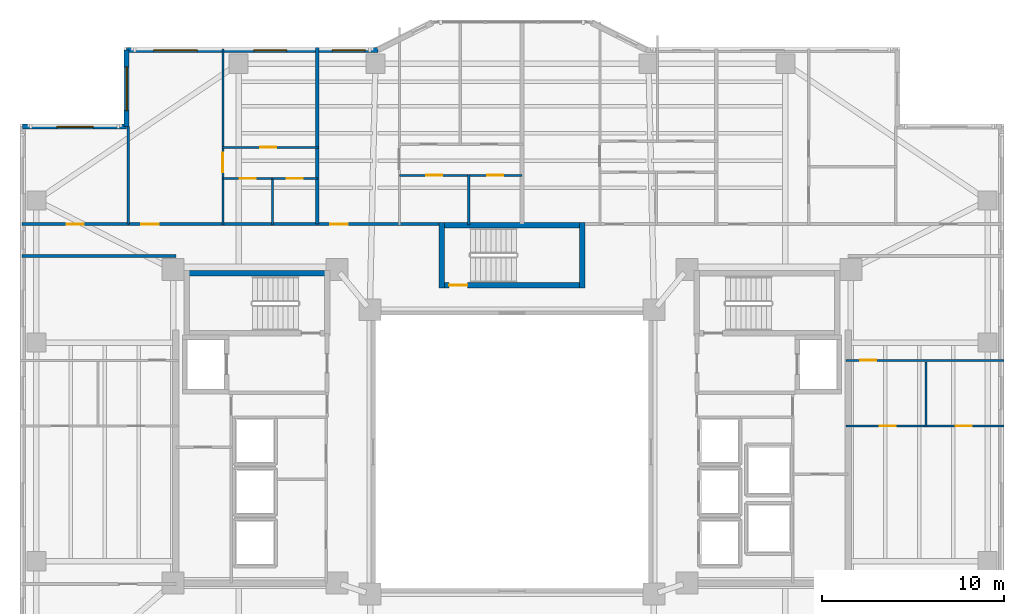
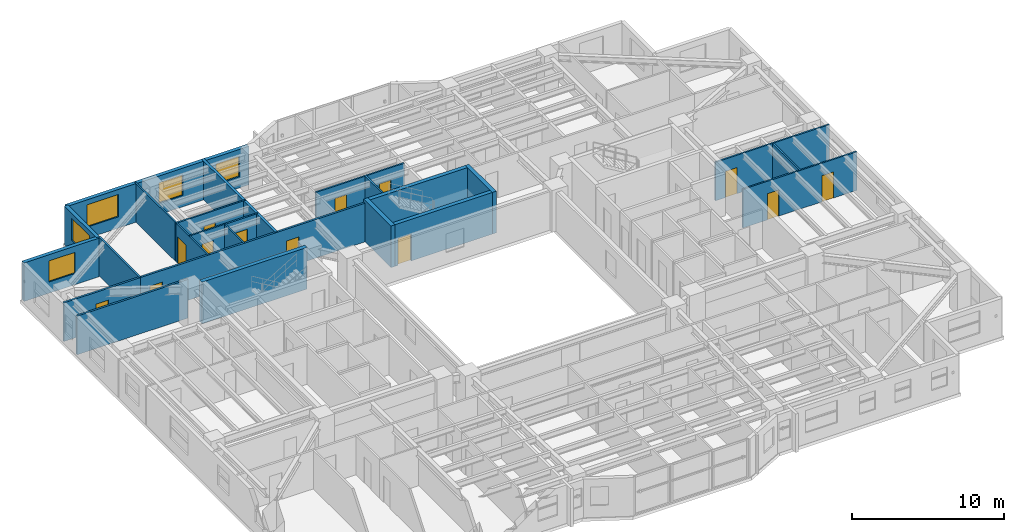
# One storey, part 10 of 19: 24 walls, 13 doors, 5 windows, 18 openings.
"""IFC4 building model written with IfcOpenShell, lengths in metres."""

from ifc_helpers import new_model, si_unit, direction, frame, frame_2d, origin, place, context, subcontext, project, spatial, rectangle, extrude, material, layer, layer_set, type_object, element, fill, save


model = new_model("IFC4")

# Units and contexts
model_context = context("Model", 3, precision=1e-05, world=origin(), true_north=direction((0.0, 1.0)))
body_context = subcontext(model_context, "Body", "Model", "MODEL_VIEW")
ifc_project = project(units=[si_unit("LENGTHUNIT", "METRE"), si_unit("AREAUNIT", "SQUARE_METRE"), si_unit("VOLUMEUNIT", "CUBIC_METRE"), si_unit("PLANEANGLEUNIT", "RADIAN"), si_unit("MASSUNIT", "GRAM", prefix="KILO")], contexts=[model_context])

# Site, building, storey
site_placement = place(None, origin())
site = spatial("IfcSite", under=ifc_project, at=site_placement, CompositionType="ELEMENT")
building_placement = place(site_placement, origin())
building = spatial("IfcBuilding", under=site, at=building_placement, Name="Tarnavaz Court Tower", CompositionType="ELEMENT")
storey_placement = place(building_placement, frame((0.0, 0.0, 111.800048828125)))
storey = spatial("IfcBuildingStorey", under=building, at=storey_placement, Name="L30", CompositionType="ELEMENT", Elevation=111.800048828125)

# Walls
ifc_material_1 = material(Name="Concrete C60/75", Category="concrete")
ifc_layer_1 = layer(ifc_material_1, 0.300048828125)
ifc_layer_set_1 = layer_set([ifc_layer_1], Name="Concrete C60/75")
wall_type_1 = type_object("IfcWallType", Name="WL-CORE-300-C60", PredefinedType="SHEAR", material=ifc_layer_set_1)
for number, where, z_axis, x_axis, name in (
    (1, (-18.0, 9.7900390625, 0.0), (0.0, 0.0, 1.0), (1.0, 0.0, 0.0), "L30 West Stair Core Wall 001"),
    (2, (-4.0, 12.43994140625, 0.0), (0.0, 0.0, 1.0), (1.0, 0.0, 0.0), "L30 North Stair Core Wall 009"),
):
    element("IfcWall", number, at=place(storey_placement, frame(where, z_axis=z_axis, x_axis=x_axis)), inside=storey, type_object=wall_type_1, Name=name, PredefinedType="SHEAR", context=body_context, shape_type="SweptSolid", body=[
        extrude(rectangle(XDim=8.0, YDim=0.300048828125, at=frame_2d((4.0, 0.0))), origin(), (0.0, 0.0, 1.0), 3.349853515625),
    ])

# Wall, opening, door
wall_1_placement = place(storey_placement, frame((-4.0, 9.14990234375, 0.0), z_axis=(0.0, 0.0, 1.0), x_axis=(1.0, 0.0, 0.0)))
wall_1 = element("IfcWall", 3, at=wall_1_placement, inside=storey, type_object=wall_type_1, Name="L30 North Stair Core Wall 010", PredefinedType="SHEAR", context=body_context, shape_type="SweptSolid", body=[
    extrude(rectangle(XDim=8.0, YDim=0.300048828125, at=frame_2d((4.0, 0.0))), origin(), (0.0, 0.0, 1.0), 3.349853515625),
])
opening_1_placement = place(wall_1_placement, frame((0.550048828125, 0.0, 0.0)))
opening_1 = element("IfcOpeningElement", 4, at=opening_1_placement, cuts=wall_1, Name="Opening D01", PredefinedType="OPENING", context=body_context, shape_type="SweptSolid", body=[
    extrude(rectangle(XDim=1.0, YDim=2.14990234375, at=frame_2d((0.5, 1.074951171875))), frame((0.0, 0.159912109375, 0.0), z_axis=(0.0, -1.0, 0.0), x_axis=(1.0, 0.0, 0.0)), (0.0, 0.0, 1.0), 0.320068359375),
])
ifc_material_2 = material(Name="Fire-Rated Hardwood Timber Core", Category="wood")
door_type_1 = type_object("IfcDoorType", Name="DR-FD90-1000", OperationType="NOTDEFINED", PredefinedType="DOOR", material=ifc_material_2)
door_1_placement = place(opening_1_placement, origin())
door_1 = element("IfcDoor", 5, at=door_1_placement, inside=storey, type_object=door_type_1, Name="L30 Stair ST-N1 Exit Door", OperationType="SINGLE_SWING_LEFT", OverallHeight=2.14990234375, OverallWidth=1.0, PredefinedType="DOOR", context=body_context, shape_type="SweptSolid", body=[
    extrude(rectangle(XDim=1.0, YDim=2.14990234375, at=frame_2d((0.5, 1.074951171875))), frame((0.0, 0.02490234375, 0.0), z_axis=(0.0, -1.0, 0.0), x_axis=(1.0, 0.0, 0.0)), (0.0, 0.0, 1.0), 0.050048828125),
])
fill(opening_1, door_1)

# Walls
for number, where, z_axis, x_axis, name in (
    (6, (-3.85009765625, 9.0, 0.0), (0.0, 0.0, 1.0), (0.0, 1.0, 0.0), "L30 North Stair Core Wall 011"),
    (7, (3.85009765625, 9.0, 0.0), (0.0, 0.0, 1.0), (0.0, 1.0, 0.0), "L30 North Stair Core Wall 012"),
):
    element("IfcWall", number, at=place(storey_placement, frame(where, z_axis=z_axis, x_axis=x_axis)), inside=storey, type_object=wall_type_1, Name=name, PredefinedType="SHEAR", context=body_context, shape_type="SweptSolid", body=[
        extrude(rectangle(XDim=3.590087890625, YDim=0.300048828125, at=frame_2d((1.794921875, 0.0))), origin(), (0.0, 0.0, 1.0), 3.349853515625),
    ])

# Wall, opening, window
ifc_material_3 = material(Name="Precast Concrete C40/50", Category="concrete")
ifc_layer_2 = layer(ifc_material_3, 0.280029296875)
ifc_layer_set_2 = layer_set([ifc_layer_2], Name="Precast Concrete C40/50")
wall_type_2 = type_object("IfcWallType", Name="WL-EXT-280", PredefinedType="SOLIDWALL", material=ifc_layer_set_2)
wall_2_placement = place(storey_placement, frame((-26.85009765625, 17.85009765625, 0.0), z_axis=(0.0, 0.0, 1.0), x_axis=(1.0, 0.0, 0.0)))
wall_2 = element("IfcWall", 8, at=wall_2_placement, inside=storey, type_object=wall_type_2, Name="L30 Exterior Terracotta Facade Wall 03", PredefinedType="SOLIDWALL", context=body_context, shape_type="SweptSolid", body=[
    extrude(rectangle(XDim=5.7001953125, YDim=0.280029296875, at=frame_2d((2.85009765625, 0.0))), origin(), (0.0, 0.0, 1.0), 3.099853515625),
])
opening_2_placement = place(wall_2_placement, frame((1.875, 0.0, 0.89990234375)))
opening_2 = element("IfcOpeningElement", 9, at=opening_2_placement, cuts=wall_2, Name="Opening W08", PredefinedType="OPENING", context=body_context, shape_type="SweptSolid", body=[
    extrude(rectangle(XDim=2.0, YDim=1.699951171875, at=frame_2d((1.0, 0.85009765625))), frame((0.0, 0.14990234375, 0.0), z_axis=(0.0, -1.0, 0.0), x_axis=(1.0, 0.0, 0.0)), (0.0, 0.0, 1.0), 0.300048828125),
])
ifc_material_4 = material(Name="Double-Glazed Solar Low-E Glass", Category="glass")
window_type_1 = type_object("IfcWindowType", Name="WN-APT-2000", PartitioningType="DOUBLE_PANEL_VERTICAL", PredefinedType="WINDOW", material=ifc_material_4)
window_1_placement = place(opening_2_placement, origin())
window_1 = element("IfcWindow", 10, at=window_1_placement, inside=storey, type_object=window_type_1, Name="L30 North-West Corner Sunroom Study Window", OverallHeight=1.699951171875, OverallWidth=2.0, PartitioningType="SINGLE_PANEL", PredefinedType="WINDOW", context=body_context, shape_type="SweptSolid", body=[
    extrude(rectangle(XDim=2.0, YDim=1.699951171875, at=frame_2d((1.0, 0.85009765625))), frame((0.0, 0.030029296875, 0.0), z_axis=(0.0, -1.0, 0.0), x_axis=(1.0, 0.0, 0.0)), (0.0, 0.0, 1.0), 0.06005859375),
])
fill(opening_2, window_1)

wall_3_placement = place(storey_placement, frame((-21.14990234375, 17.85009765625, 0.0), z_axis=(0.0, 0.0, 1.0), x_axis=(0.0, 1.0, 0.0)))
wall_3 = element("IfcWall", 11, at=wall_3_placement, inside=storey, type_object=wall_type_2, Name="L30 Exterior Terracotta Facade Wall 04", PredefinedType="SOLIDWALL", context=body_context, shape_type="SweptSolid", body=[
    extrude(rectangle(XDim=4.199951171875, YDim=0.280029296875, at=frame_2d((2.10009765625, 0.0))), origin(), (0.0, 0.0, 1.0), 3.099853515625),
])
opening_3_placement = place(wall_3_placement, frame((0.882080078125, 0.0, 0.89990234375)))
opening_3 = element("IfcOpeningElement", 12, at=opening_3_placement, cuts=wall_3, Name="Opening W06", PredefinedType="OPENING", context=body_context, shape_type="SweptSolid", body=[
    extrude(rectangle(XDim=2.39990234375, YDim=1.800048828125, at=frame_2d((1.199951171875, 0.89990234375))), frame((0.0, 0.14990234375, 0.0), z_axis=(0.0, -1.0, 0.0), x_axis=(1.0, 0.0, 0.0)), (0.0, 0.0, 1.0), 0.300048828125),
])
window_type_2 = type_object("IfcWindowType", Name="WN-APT-2400", PartitioningType="TRIPLE_PANEL_VERTICAL", PredefinedType="WINDOW", material=ifc_material_4)
window_2_placement = place(opening_3_placement, origin())
window_2 = element("IfcWindow", 13, at=window_2_placement, inside=storey, type_object=window_type_2, Name="L30 Flat 01 Living and Dining Room Window", OverallHeight=1.800048828125, OverallWidth=2.39990234375, PartitioningType="SINGLE_PANEL", PredefinedType="WINDOW", context=body_context, shape_type="SweptSolid", body=[
    extrude(rectangle(XDim=2.39990234375, YDim=1.800048828125, at=frame_2d((1.199951171875, 0.89990234375))), frame((0.0, 0.030029296875, 0.0), z_axis=(0.0, -1.0, 0.0), x_axis=(1.0, 0.0, 0.0)), (0.0, 0.0, 1.0), 0.06005859375),
])
fill(opening_3, window_2)

# Wall, openings, windows
wall_4_placement = place(storey_placement, frame((-21.14990234375, 22.050048828125, 0.0), z_axis=(0.0, 0.0, 1.0), x_axis=(1.0, 0.0, 0.0)))
wall_4 = element("IfcWall", 14, at=wall_4_placement, inside=storey, type_object=wall_type_2, Name="L30 Exterior Terracotta Facade Wall 05", PredefinedType="SOLIDWALL", context=body_context, shape_type="SweptSolid", body=[
    extrude(rectangle(XDim=13.7998046875, YDim=0.280029296875, at=frame_2d((6.89990234375, 0.0))), origin(), (0.0, 0.0, 1.0), 3.099853515625),
])
opening_4_placement = place(wall_4_placement, frame((1.484619140625, 0.0, 0.89990234375)))
opening_4 = element("IfcOpeningElement", 15, at=opening_4_placement, cuts=wall_4, Name="Opening W06", PredefinedType="OPENING", context=body_context, shape_type="SweptSolid", body=[
    extrude(rectangle(XDim=2.39990234375, YDim=1.800048828125, at=frame_2d((1.199951171875, 0.89990234375))), frame((0.0, 0.14990234375, 0.0), z_axis=(0.0, -1.0, 0.0), x_axis=(1.0, 0.0, 0.0)), (0.0, 0.0, 1.0), 0.300048828125),
])
opening_5_placement = place(wall_4_placement, frame((6.978515625, 0.0, 0.89990234375)))
opening_5 = element("IfcOpeningElement", 16, at=opening_5_placement, cuts=wall_4, Name="Opening W01", PredefinedType="OPENING", context=body_context, shape_type="SweptSolid", body=[
    extrude(rectangle(XDim=1.800048828125, YDim=1.64990234375, at=frame_2d((0.89990234375, 0.824951171875))), frame((0.0, 0.14990234375, 0.0), z_axis=(0.0, -1.0, 0.0), x_axis=(1.0, 0.0, 0.0)), (0.0, 0.0, 1.0), 0.300048828125),
])
opening_6_placement = place(wall_4_placement, frame((11.294189453125, 0.0, 0.89990234375)))
opening_6 = element("IfcOpeningElement", 17, at=opening_6_placement, cuts=wall_4, Name="Opening W01", PredefinedType="OPENING", context=body_context, shape_type="SweptSolid", body=[
    extrude(rectangle(XDim=1.800048828125, YDim=1.64990234375, at=frame_2d((0.89990234375, 0.824951171875))), frame((0.0, 0.14990234375, 0.0), z_axis=(0.0, -1.0, 0.0), x_axis=(1.0, 0.0, 0.0)), (0.0, 0.0, 1.0), 0.300048828125),
])
window_type_3 = type_object("IfcWindowType", Name="WN-APT-1800", PartitioningType="DOUBLE_PANEL_VERTICAL", PredefinedType="WINDOW", material=ifc_material_4)
window_3_placement = place(opening_5_placement, origin())
window_3 = element("IfcWindow", 18, at=window_3_placement, inside=storey, type_object=window_type_3, Name="L30 Flat 01 Bedroom 1 Window", OverallHeight=1.64990234375, OverallWidth=1.800048828125, PartitioningType="SINGLE_PANEL", PredefinedType="WINDOW", context=body_context, shape_type="SweptSolid", body=[
    extrude(rectangle(XDim=1.800048828125, YDim=1.64990234375, at=frame_2d((0.89990234375, 0.824951171875))), frame((0.0, 0.030029296875, 0.0), z_axis=(0.0, -1.0, 0.0), x_axis=(1.0, 0.0, 0.0)), (0.0, 0.0, 1.0), 0.06005859375),
])
fill(opening_5, window_3)
window_4_placement = place(opening_6_placement, origin())
window_4 = element("IfcWindow", 19, at=window_4_placement, inside=storey, type_object=window_type_3, Name="L30 Flat 02 Living and Dining Room Window", OverallHeight=1.64990234375, OverallWidth=1.800048828125, PartitioningType="SINGLE_PANEL", PredefinedType="WINDOW", context=body_context, shape_type="SweptSolid", body=[
    extrude(rectangle(XDim=1.800048828125, YDim=1.64990234375, at=frame_2d((0.89990234375, 0.824951171875))), frame((0.0, 0.030029296875, 0.0), z_axis=(0.0, -1.0, 0.0), x_axis=(1.0, 0.0, 0.0)), (0.0, 0.0, 1.0), 0.06005859375),
])
fill(opening_6, window_4)
window_5_placement = place(opening_4_placement, origin())
window_5 = element("IfcWindow", 20, at=window_5_placement, inside=storey, type_object=window_type_2, Name="L30 Flat 01 Living and Dining Room Window", OverallHeight=1.800048828125, OverallWidth=2.39990234375, PartitioningType="SINGLE_PANEL", PredefinedType="WINDOW", context=body_context, shape_type="SweptSolid", body=[
    extrude(rectangle(XDim=2.39990234375, YDim=1.800048828125, at=frame_2d((1.199951171875, 0.89990234375))), frame((0.0, 0.030029296875, 0.0), z_axis=(0.0, -1.0, 0.0), x_axis=(1.0, 0.0, 0.0)), (0.0, 0.0, 1.0), 0.06005859375),
])
fill(opening_4, window_5)

# Wall, openings, doors
ifc_material_5 = material(Name="Gypsum Fire-Board on Acoustic Metal Stud", Category="masonry")
ifc_layer_3 = layer(ifc_material_5, 0.14990234375)
ifc_layer_set_3 = layer_set([ifc_layer_3], Name="Gypsum Fire-Board on Acoustic Metal Stud")
wall_type_3 = type_object("IfcWallType", Name="WL-FIRE-150", PredefinedType="PARTITIONING", material=ifc_layer_set_3)
wall_5_placement = place(storey_placement, frame((-21.050048828125, 12.5, 0.0), z_axis=(0.0, 0.0, 1.0), x_axis=(1.0, 0.0, 0.0)))
wall_5 = element("IfcWall", 21, at=wall_5_placement, inside=storey, type_object=wall_type_3, Name="L30 NW Wing Corridor Wall 071", PredefinedType="PARTITIONING", context=body_context, shape_type="SweptSolid", body=[
    extrude(rectangle(XDim=17.199951171875, YDim=0.14990234375, at=frame_2d((8.60009765625, 0.0))), origin(), (0.0, 0.0, 1.0), 3.099853515625),
])
opening_7_placement = place(wall_5_placement, frame((0.699951171875, 0.0, 0.0)))
opening_7 = element("IfcOpeningElement", 22, at=opening_7_placement, cuts=wall_5, Name="Opening D06", PredefinedType="OPENING", context=body_context, shape_type="SweptSolid", body=[
    extrude(rectangle(XDim=0.9599609375, YDim=2.14990234375, at=frame_2d((0.47998046875, 1.074951171875))), frame((0.0, 0.0849609375, 0.0), z_axis=(0.0, -1.0, 0.0), x_axis=(1.0, 0.0, 0.0)), (0.0, 0.0, 1.0), 0.169921875),
])
opening_8_placement = place(wall_5_placement, frame((11.068115234375, 0.0, 0.0)))
opening_8 = element("IfcOpeningElement", 23, at=opening_8_placement, cuts=wall_5, Name="Opening D06", PredefinedType="OPENING", context=body_context, shape_type="SweptSolid", body=[
    extrude(rectangle(XDim=0.9599609375, YDim=2.14990234375, at=frame_2d((0.47998046875, 1.074951171875))), frame((0.0, 0.0849609375, 0.0), z_axis=(0.0, -1.0, 0.0), x_axis=(1.0, 0.0, 0.0)), (0.0, 0.0, 1.0), 0.169921875),
])
door_type_2 = type_object("IfcDoorType", Name="DR-FD60-950", OperationType="NOTDEFINED", PredefinedType="DOOR", material=ifc_material_2)
door_2_placement = place(opening_7_placement, origin())
door_2 = element("IfcDoor", 24, at=door_2_placement, inside=storey, type_object=door_type_2, Name="L30 Flat 01 Entrance Door", OperationType="SINGLE_SWING_LEFT", OverallHeight=2.14990234375, OverallWidth=0.9599609375, PredefinedType="DOOR", context=body_context, shape_type="SweptSolid", body=[
    extrude(rectangle(XDim=0.9599609375, YDim=2.14990234375, at=frame_2d((0.47998046875, 1.074951171875))), frame((0.0, 0.02490234375, 0.0), z_axis=(0.0, -1.0, 0.0), x_axis=(1.0, 0.0, 0.0)), (0.0, 0.0, 1.0), 0.050048828125),
])
fill(opening_7, door_2)
door_3_placement = place(opening_8_placement, origin())
door_3 = element("IfcDoor", 25, at=door_3_placement, inside=storey, type_object=door_type_2, Name="L30 Flat 02 Entrance Door", OperationType="SINGLE_SWING_RIGHT", OverallHeight=2.14990234375, OverallWidth=0.9599609375, PredefinedType="DOOR", context=body_context, shape_type="SweptSolid", body=[
    extrude(rectangle(XDim=0.9599609375, YDim=2.14990234375, at=frame_2d((0.47998046875, 1.074951171875))), frame((0.0, 0.02490234375, 0.0), z_axis=(0.0, -1.0, 0.0), x_axis=(1.0, 0.0, 0.0)), (0.0, 0.0, 1.0), 0.050048828125),
])
fill(opening_8, door_3)

# Wall
wall_6_placement = place(storey_placement, frame((-26.8798828125, 10.75, 0.0), z_axis=(0.0, 0.0, 1.0), x_axis=(1.0, 0.0, 0.0)))
element("IfcWall", 26, at=wall_6_placement, inside=storey, type_object=wall_type_3, Name="L30 Interior Partition 123", PredefinedType="PARTITIONING", context=body_context, shape_type="SweptSolid", body=[
    extrude(rectangle(XDim=8.429931640625, YDim=0.14990234375, at=frame_2d((4.21484375, 0.0))), origin(), (0.0, 0.0, 1.0), 3.099853515625),
])

# Wall, opening, door
wall_7_placement = place(storey_placement, frame((-26.8798828125, 12.5, 0.0), z_axis=(0.0, 0.0, 1.0), x_axis=(1.0, 0.0, 0.0)))
wall_7 = element("IfcWall", 27, at=wall_7_placement, inside=storey, type_object=wall_type_3, Name="L30 Interior Partition 130", PredefinedType="PARTITIONING", context=body_context, shape_type="SweptSolid", body=[
    extrude(rectangle(XDim=5.829833984375, YDim=0.14990234375, at=frame_2d((2.9150390625, 0.0))), origin(), (0.0, 0.0, 1.0), 3.099853515625),
])
opening_9_placement = place(wall_7_placement, frame((2.43994140625, 0.0, 0.0)))
opening_9 = element("IfcOpeningElement", 28, at=opening_9_placement, cuts=wall_7, Name="Opening D13", PredefinedType="OPENING", context=body_context, shape_type="SweptSolid", body=[
    extrude(rectangle(XDim=0.949951171875, YDim=2.14990234375, at=frame_2d((0.47509765625, 1.074951171875))), frame((0.0, 0.0849609375, 0.0), z_axis=(0.0, -1.0, 0.0), x_axis=(1.0, 0.0, 0.0)), (0.0, 0.0, 1.0), 0.169921875),
])
ifc_material_6 = material(Name="Engineered Oak Timber", Category="wood")
door_type_3 = type_object("IfcDoorType", Name="DR-INT-950", OperationType="NOTDEFINED", PredefinedType="DOOR", material=ifc_material_6)
door_4_placement = place(opening_9_placement, origin())
door_4 = element("IfcDoor", 29, at=door_4_placement, inside=storey, type_object=door_type_3, Name="L30 NW Sunroom Door", OperationType="SINGLE_SWING_LEFT", OverallHeight=2.14990234375, OverallWidth=0.949951171875, PredefinedType="DOOR", context=body_context, shape_type="SweptSolid", body=[
    extrude(rectangle(XDim=0.949951171875, YDim=2.14990234375, at=frame_2d((0.47509765625, 1.074951171875))), frame((0.0, 0.02490234375, 0.0), z_axis=(0.0, -1.0, 0.0), x_axis=(1.0, 0.0, 0.0)), (0.0, 0.0, 1.0), 0.050048828125),
])
fill(opening_9, door_4)

# Wall
ifc_material_7 = material(Name="Autoclaved Aerated Concrete Blockwork", Category="masonry")
ifc_layer_4 = layer(ifc_material_7, 0.199951171875)
ifc_layer_set_4 = layer_set([ifc_layer_4], Name="Autoclaved Aerated Concrete Blockwork")
wall_type_4 = type_object("IfcWallType", Name="WL-FIRE-200", PredefinedType="SOLIDWALL", material=ifc_layer_set_4)
wall_8_placement = place(storey_placement, frame((-10.681884765625, 12.5, 0.0), z_axis=(0.0, 0.0, 1.0), x_axis=(0.0, 1.0, 0.0)))
element("IfcWall", 30, at=wall_8_placement, inside=storey, type_object=wall_type_4, Name="L30 Party Wall 076", PredefinedType="SOLIDWALL", context=body_context, shape_type="SweptSolid", body=[
    extrude(rectangle(XDim=9.677978515625, YDim=0.199951171875, at=frame_2d((4.8388671875, 0.0))), origin(), (0.0, 0.0, 1.0), 3.099853515625),
])

# Wall, opening, door
ifc_material_8 = material(Name="Moisture-Resistant Gypsum Board Partition", Category="masonry")
ifc_layer_5 = layer(ifc_material_8, 0.1201171875)
ifc_layer_set_5 = layer_set([ifc_layer_5], Name="Moisture-Resistant Gypsum Board Partition")
wall_type_5 = type_object("IfcWallType", Name="WL-PART-120", PredefinedType="PARTITIONING", material=ifc_layer_set_5)
wall_9_placement = place(storey_placement, frame((-15.865966796875, 12.43994140625, 0.0), z_axis=(0.0, 0.0, 1.0), x_axis=(0.0, 1.0, 0.0)))
wall_9 = element("IfcWall", 31, at=wall_9_placement, inside=storey, type_object=wall_type_5, Name="L30 Interior Partition 077", PredefinedType="PARTITIONING", context=body_context, shape_type="SweptSolid", body=[
    extrude(rectangle(XDim=9.66015625, YDim=0.1201171875, at=frame_2d((4.830078125, 0.0))), origin(), (0.0, 0.0, 1.0), 3.099853515625),
])
opening_10_placement = place(wall_9_placement, frame((2.905029296875, 0.0, 0.0)))
opening_10 = element("IfcOpeningElement", 32, at=opening_10_placement, cuts=wall_9, Name="Opening D12", PredefinedType="OPENING", context=body_context, shape_type="SweptSolid", body=[
    extrude(rectangle(XDim=1.080078125, YDim=2.14990234375, at=frame_2d((0.5400390625, 1.074951171875))), frame((0.0, 0.070068359375, 0.0), z_axis=(0.0, -1.0, 0.0), x_axis=(1.0, 0.0, 0.0)), (0.0, 0.0, 1.0), 0.14013671875),
])
door_type_4 = type_object("IfcDoorType", Name="DR-INT-1100", OperationType="NOTDEFINED", PredefinedType="DOOR", material=ifc_material_6)
door_5_placement = place(opening_10_placement, origin())
door_5 = element("IfcDoor", 33, at=door_5_placement, inside=storey, type_object=door_type_4, Name="L30 Flat 01 Foyer Door", OperationType="SINGLE_SWING_RIGHT", OverallHeight=2.14990234375, OverallWidth=1.080078125, PredefinedType="DOOR", context=body_context, shape_type="SweptSolid", body=[
    extrude(rectangle(XDim=1.080078125, YDim=2.14990234375, at=frame_2d((0.5400390625, 1.074951171875))), frame((0.0, 0.02490234375, 0.0), z_axis=(0.0, -1.0, 0.0), x_axis=(1.0, 0.0, 0.0)), (0.0, 0.0, 1.0), 0.050048828125),
])
fill(opening_10, door_5)

wall_10_placement = place(storey_placement, frame((-15.865966796875, 15.0, 0.0), z_axis=(0.0, 0.0, 1.0), x_axis=(1.0, 0.0, 0.0)))
wall_10 = element("IfcWall", 34, at=wall_10_placement, inside=storey, type_object=wall_type_5, Name="L30 Interior Partition 078", PredefinedType="PARTITIONING", context=body_context, shape_type="SweptSolid", body=[
    extrude(rectangle(XDim=2.716064453125, YDim=0.1201171875, at=frame_2d((1.35791015625, 0.0))), origin(), (0.0, 0.0, 1.0), 3.099853515625),
])
opening_11_placement = place(wall_10_placement, frame((0.91796875, 0.0, 0.0)))
opening_11 = element("IfcOpeningElement", 35, at=opening_11_placement, cuts=wall_10, Name="Opening D14", PredefinedType="OPENING", context=body_context, shape_type="SweptSolid", body=[
    extrude(rectangle(XDim=0.8798828125, YDim=2.10009765625, at=frame_2d((0.43994140625, 1.050048828125))), frame((0.0, 0.070068359375, 0.0), z_axis=(0.0, -1.0, 0.0), x_axis=(1.0, 0.0, 0.0)), (0.0, 0.0, 1.0), 0.14013671875),
])
door_type_5 = type_object("IfcDoorType", Name="DR-INT-900", OperationType="NOTDEFINED", PredefinedType="DOOR", material=ifc_material_6)
door_6_placement = place(opening_11_placement, origin())
door_6 = element("IfcDoor", 36, at=door_6_placement, inside=storey, type_object=door_type_5, Name="L30 Flat 01 Kitchen Door", OperationType="SINGLE_SWING_LEFT", OverallHeight=2.10009765625, OverallWidth=0.8798828125, PredefinedType="DOOR", context=body_context, shape_type="SweptSolid", body=[
    extrude(rectangle(XDim=0.8798828125, YDim=2.10009765625, at=frame_2d((0.43994140625, 1.050048828125))), frame((0.0, 0.02490234375, 0.0), z_axis=(0.0, -1.0, 0.0), x_axis=(1.0, 0.0, 0.0)), (0.0, 0.0, 1.0), 0.050048828125),
])
fill(opening_11, door_6)

wall_11_placement = place(storey_placement, frame((-13.14990234375, 15.0, 0.0), z_axis=(0.0, 0.0, 1.0), x_axis=(1.0, 0.0, 0.0)))
wall_11 = element("IfcWall", 37, at=wall_11_placement, inside=storey, type_object=wall_type_5, Name="L30 Interior Partition 079", PredefinedType="PARTITIONING", context=body_context, shape_type="SweptSolid", body=[
    extrude(rectangle(XDim=2.468017578125, YDim=0.1201171875, at=frame_2d((1.23388671875, 0.0))), origin(), (0.0, 0.0, 1.0), 3.099853515625),
])
opening_12_placement = place(wall_11_placement, frame((0.7939453125, 0.0, 0.0)))
opening_12 = element("IfcOpeningElement", 38, at=opening_12_placement, cuts=wall_11, Name="Opening D14", PredefinedType="OPENING", context=body_context, shape_type="SweptSolid", body=[
    extrude(rectangle(XDim=0.8798828125, YDim=2.10009765625, at=frame_2d((0.43994140625, 1.050048828125))), frame((0.0, 0.070068359375, 0.0), z_axis=(0.0, -1.0, 0.0), x_axis=(1.0, 0.0, 0.0)), (0.0, 0.0, 1.0), 0.14013671875),
])
door_7_placement = place(opening_12_placement, origin())
door_7 = element("IfcDoor", 39, at=door_7_placement, inside=storey, type_object=door_type_5, Name="L30 Flat 01 Bathroom Door", OperationType="SINGLE_SWING_RIGHT", OverallHeight=2.10009765625, OverallWidth=0.8798828125, PredefinedType="DOOR", context=body_context, shape_type="SweptSolid", body=[
    extrude(rectangle(XDim=0.8798828125, YDim=2.10009765625, at=frame_2d((0.43994140625, 1.050048828125))), frame((0.0, 0.02490234375, 0.0), z_axis=(0.0, -1.0, 0.0), x_axis=(1.0, 0.0, 0.0)), (0.0, 0.0, 1.0), 0.050048828125),
])
fill(opening_12, door_7)

wall_12_placement = place(storey_placement, frame((-15.926025390625, 16.7099609375, 0.0), z_axis=(0.0, 0.0, 1.0), x_axis=(1.0, 0.0, 0.0)))
wall_12 = element("IfcWall", 40, at=wall_12_placement, inside=storey, type_object=wall_type_5, Name="L30 Interior Partition 080", PredefinedType="PARTITIONING", context=body_context, shape_type="SweptSolid", body=[
    extrude(rectangle(XDim=5.303955078125, YDim=0.1201171875, at=frame_2d((2.65185546875, 0.0))), origin(), (0.0, 0.0, 1.0), 3.099853515625),
])
opening_13_placement = place(wall_12_placement, frame((2.1220703125, 0.0, 0.0)))
opening_13 = element("IfcOpeningElement", 41, at=opening_13_placement, cuts=wall_12, Name="Opening D14", PredefinedType="OPENING", context=body_context, shape_type="SweptSolid", body=[
    extrude(rectangle(XDim=0.8798828125, YDim=2.10009765625, at=frame_2d((0.43994140625, 1.050048828125))), frame((0.0, 0.070068359375, 0.0), z_axis=(0.0, -1.0, 0.0), x_axis=(1.0, 0.0, 0.0)), (0.0, 0.0, 1.0), 0.14013671875),
])
door_8_placement = place(opening_13_placement, origin())
door_8 = element("IfcDoor", 42, at=door_8_placement, inside=storey, type_object=door_type_5, Name="L30 Flat 01 Bedroom 1 Door", OperationType="SINGLE_SWING_LEFT", OverallHeight=2.10009765625, OverallWidth=0.8798828125, PredefinedType="DOOR", context=body_context, shape_type="SweptSolid", body=[
    extrude(rectangle(XDim=0.8798828125, YDim=2.10009765625, at=frame_2d((0.43994140625, 1.050048828125))), frame((0.0, 0.02490234375, 0.0), z_axis=(0.0, -1.0, 0.0), x_axis=(1.0, 0.0, 0.0)), (0.0, 0.0, 1.0), 0.050048828125),
])
fill(opening_13, door_8)

# Wall
wall_13_placement = place(storey_placement, frame((-13.14990234375, 12.43994140625, 0.0), z_axis=(0.0, 0.0, 1.0), x_axis=(0.0, 1.0, 0.0)))
element("IfcWall", 43, at=wall_13_placement, inside=storey, type_object=wall_type_5, Name="L30 Interior Partition 081", PredefinedType="PARTITIONING", context=body_context, shape_type="SweptSolid", body=[
    extrude(rectangle(XDim=2.6201171875, YDim=0.1201171875, at=frame_2d((1.31005859375, 0.0))), origin(), (0.0, 0.0, 1.0), 3.099853515625),
])

# Wall, opening, door
wall_14_placement = place(storey_placement, frame((-6.177001953125, 15.169921875, 0.0), z_axis=(0.0, 0.0, 1.0), x_axis=(1.0, 0.0, 0.0)))
wall_14 = element("IfcWall", 44, at=wall_14_placement, inside=storey, type_object=wall_type_5, Name="L30 Interior Partition 083", PredefinedType="PARTITIONING", context=body_context, shape_type="SweptSolid", body=[
    extrude(rectangle(XDim=3.800048828125, YDim=0.1201171875, at=frame_2d((1.89990234375, 0.0))), origin(), (0.0, 0.0, 1.0), 3.099853515625),
])
opening_14_placement = place(wall_14_placement, frame((1.4599609375, 0.0, 0.0)))
opening_14 = element("IfcOpeningElement", 45, at=opening_14_placement, cuts=wall_14, Name="Opening D14", PredefinedType="OPENING", context=body_context, shape_type="SweptSolid", body=[
    extrude(rectangle(XDim=0.8798828125, YDim=2.10009765625, at=frame_2d((0.43994140625, 1.050048828125))), frame((0.0, 0.070068359375, 0.0), z_axis=(0.0, -1.0, 0.0), x_axis=(1.0, 0.0, 0.0)), (0.0, 0.0, 1.0), 0.14013671875),
])
door_9_placement = place(opening_14_placement, origin())
door_9 = element("IfcDoor", 46, at=door_9_placement, inside=storey, type_object=door_type_5, Name="L30 Flat 02 Kitchen Door", OperationType="SINGLE_SWING_RIGHT", OverallHeight=2.10009765625, OverallWidth=0.8798828125, PredefinedType="DOOR", context=body_context, shape_type="SweptSolid", body=[
    extrude(rectangle(XDim=0.8798828125, YDim=2.10009765625, at=frame_2d((0.43994140625, 1.050048828125))), frame((0.0, 0.02490234375, 0.0), z_axis=(0.0, -1.0, 0.0), x_axis=(1.0, 0.0, 0.0)), (0.0, 0.0, 1.0), 0.050048828125),
])
fill(opening_14, door_9)

wall_15_placement = place(storey_placement, frame((-2.376953125, 15.169921875, 0.0), z_axis=(0.0, 0.0, 1.0), x_axis=(1.0, 0.0, 0.0)))
wall_15 = element("IfcWall", 47, at=wall_15_placement, inside=storey, type_object=wall_type_5, Name="L30 Interior Partition 084", PredefinedType="PARTITIONING", context=body_context, shape_type="SweptSolid", body=[
    extrude(rectangle(XDim=2.927001953125, YDim=0.1201171875, at=frame_2d((1.46337890625, 0.0))), origin(), (0.0, 0.0, 1.0), 3.099853515625),
])
opening_15_placement = place(wall_15_placement, frame((1.02294921875, 0.0, 0.0)))
opening_15 = element("IfcOpeningElement", 48, at=opening_15_placement, cuts=wall_15, Name="Opening D14", PredefinedType="OPENING", context=body_context, shape_type="SweptSolid", body=[
    extrude(rectangle(XDim=0.8798828125, YDim=2.10009765625, at=frame_2d((0.43994140625, 1.050048828125))), frame((0.0, 0.070068359375, 0.0), z_axis=(0.0, -1.0, 0.0), x_axis=(1.0, 0.0, 0.0)), (0.0, 0.0, 1.0), 0.14013671875),
])
door_10_placement = place(opening_15_placement, origin())
door_10 = element("IfcDoor", 49, at=door_10_placement, inside=storey, type_object=door_type_5, Name="L30 Flat 02 Bathroom Door", OperationType="SINGLE_SWING_LEFT", OverallHeight=2.10009765625, OverallWidth=0.8798828125, PredefinedType="DOOR", context=body_context, shape_type="SweptSolid", body=[
    extrude(rectangle(XDim=0.8798828125, YDim=2.10009765625, at=frame_2d((0.43994140625, 1.050048828125))), frame((0.0, 0.02490234375, 0.0), z_axis=(0.0, -1.0, 0.0), x_axis=(1.0, 0.0, 0.0)), (0.0, 0.0, 1.0), 0.050048828125),
])
fill(opening_15, door_10)

# Wall
wall_16_placement = place(storey_placement, frame((-2.376953125, 12.43994140625, 0.0), z_axis=(0.0, 0.0, 1.0), x_axis=(0.0, 1.0, 0.0)))
element("IfcWall", 50, at=wall_16_placement, inside=storey, type_object=wall_type_5, Name="L30 Interior Partition 086", PredefinedType="PARTITIONING", context=body_context, shape_type="SweptSolid", body=[
    extrude(rectangle(XDim=2.7900390625, YDim=0.1201171875, at=frame_2d((1.39501953125, 0.0))), origin(), (0.0, 0.0, 1.0), 3.099853515625),
])

# Wall, openings, doors
wall_17_placement = place(storey_placement, frame((18.330078125, 1.419921875, 0.0), z_axis=(0.0, 0.0, 1.0), x_axis=(1.0, 0.0, 0.0)))
wall_17 = element("IfcWall", 51, at=wall_17_placement, inside=storey, type_object=wall_type_5, Name="L30 Interior Partition 137", PredefinedType="PARTITIONING", context=body_context, shape_type="SweptSolid", body=[
    extrude(rectangle(XDim=8.669921875, YDim=0.1201171875, at=frame_2d((4.3349609375, 0.0))), origin(), (0.0, 0.0, 1.0), 3.099853515625),
])
opening_16_placement = place(wall_17_placement, frame((1.863037109375, 0.0, 0.0)))
opening_16 = element("IfcOpeningElement", 52, at=opening_16_placement, cuts=wall_17, Name="Opening D14", PredefinedType="OPENING", context=body_context, shape_type="SweptSolid", body=[
    extrude(rectangle(XDim=0.8798828125, YDim=2.10009765625, at=frame_2d((0.43994140625, 1.050048828125))), frame((0.0, 0.070068359375, 0.0), z_axis=(0.0, -1.0, 0.0), x_axis=(1.0, 0.0, 0.0)), (0.0, 0.0, 1.0), 0.14013671875),
])
opening_17_placement = place(wall_17_placement, frame((6.028076171875, 0.0, 0.0)))
opening_17 = element("IfcOpeningElement", 53, at=opening_17_placement, cuts=wall_17, Name="Opening D14", PredefinedType="OPENING", context=body_context, shape_type="SweptSolid", body=[
    extrude(rectangle(XDim=0.8798828125, YDim=2.10009765625, at=frame_2d((0.43994140625, 1.050048828125))), frame((0.0, 0.070068359375, 0.0), z_axis=(0.0, -1.0, 0.0), x_axis=(1.0, 0.0, 0.0)), (0.0, 0.0, 1.0), 0.14013671875),
])
door_11_placement = place(opening_16_placement, origin())
door_11 = element("IfcDoor", 54, at=door_11_placement, inside=storey, type_object=door_type_5, Name="L30 Flat 10 Kitchen Door", OperationType="SINGLE_SWING_RIGHT", OverallHeight=2.10009765625, OverallWidth=0.8798828125, PredefinedType="DOOR", context=body_context, shape_type="SweptSolid", body=[
    extrude(rectangle(XDim=0.8798828125, YDim=2.10009765625, at=frame_2d((0.43994140625, 1.050048828125))), frame((0.0, 0.02490234375, 0.0), z_axis=(0.0, -1.0, 0.0), x_axis=(1.0, 0.0, 0.0)), (0.0, 0.0, 1.0), 0.050048828125),
])
fill(opening_16, door_11)
door_12_placement = place(opening_17_placement, origin())
door_12 = element("IfcDoor", 55, at=door_12_placement, inside=storey, type_object=door_type_5, Name="L30 Flat 10 Bathroom Door", OperationType="SINGLE_SWING_LEFT", OverallHeight=2.10009765625, OverallWidth=0.8798828125, PredefinedType="DOOR", context=body_context, shape_type="SweptSolid", body=[
    extrude(rectangle(XDim=0.8798828125, YDim=2.10009765625, at=frame_2d((0.43994140625, 1.050048828125))), frame((0.0, 0.02490234375, 0.0), z_axis=(0.0, -1.0, 0.0), x_axis=(1.0, 0.0, 0.0)), (0.0, 0.0, 1.0), 0.050048828125),
])
fill(opening_17, door_12)

# Wall, opening, door
wall_18_placement = place(storey_placement, frame((18.330078125, 5.02001953125, 0.0), z_axis=(0.0, 0.0, 1.0), x_axis=(1.0, 0.0, 0.0)))
wall_18 = element("IfcWall", 56, at=wall_18_placement, inside=storey, type_object=wall_type_5, Name="L30 Interior Partition 138", PredefinedType="PARTITIONING", context=body_context, shape_type="SweptSolid", body=[
    extrude(rectangle(XDim=8.669921875, YDim=0.1201171875, at=frame_2d((4.3349609375, 0.0))), origin(), (0.0, 0.0, 1.0), 3.099853515625),
])
opening_18_placement = place(wall_18_placement, frame((0.77001953125, 0.0, 0.0)))
opening_18 = element("IfcOpeningElement", 57, at=opening_18_placement, cuts=wall_18, Name="Opening D14", PredefinedType="OPENING", context=body_context, shape_type="SweptSolid", body=[
    extrude(rectangle(XDim=0.8798828125, YDim=2.10009765625, at=frame_2d((0.43994140625, 1.050048828125))), frame((0.0, 0.070068359375, 0.0), z_axis=(0.0, -1.0, 0.0), x_axis=(1.0, 0.0, 0.0)), (0.0, 0.0, 1.0), 0.14013671875),
])
door_13_placement = place(opening_18_placement, origin())
door_13 = element("IfcDoor", 58, at=door_13_placement, inside=storey, type_object=door_type_5, Name="L30 Flat 10 Study Door", OperationType="SINGLE_SWING_RIGHT", OverallHeight=2.10009765625, OverallWidth=0.8798828125, PredefinedType="DOOR", context=body_context, shape_type="SweptSolid", body=[
    extrude(rectangle(XDim=0.8798828125, YDim=2.10009765625, at=frame_2d((0.43994140625, 1.050048828125))), frame((0.0, 0.02490234375, 0.0), z_axis=(0.0, -1.0, 0.0), x_axis=(1.0, 0.0, 0.0)), (0.0, 0.0, 1.0), 0.050048828125),
])
fill(opening_18, door_13)

# Walls
wall_19_placement = place(storey_placement, frame((22.715087890625, 1.360107421875, 0.0), z_axis=(0.0, 0.0, 1.0), x_axis=(0.0, 1.0, 0.0)))
element("IfcWall", 59, at=wall_19_placement, inside=storey, type_object=wall_type_5, Name="L30 Interior Partition 139", PredefinedType="PARTITIONING", context=body_context, shape_type="SweptSolid", body=[
    extrude(rectangle(XDim=3.579833984375, YDim=0.1201171875, at=frame_2d((1.7900390625, 0.0))), origin(), (0.0, 0.0, 1.0), 3.099853515625),
])
ifc_material_9 = material(Name="Gypsum Plasterboard Acoustic Partition", Category="masonry")
ifc_layer_6 = layer(ifc_material_9, 0.139892578125)
ifc_layer_set_6 = layer_set([ifc_layer_6], Name="Gypsum Plasterboard Acoustic Partition")
wall_type_6 = type_object("IfcWallType", Name="WL-PART-150", PredefinedType="PARTITIONING", material=ifc_layer_set_6)
wall_20_placement = place(storey_placement, frame((-21.050048828125, 12.5, 0.0), z_axis=(0.0, 0.0, 1.0), x_axis=(0.0, 1.0, 0.0)))
element("IfcWall", 60, at=wall_20_placement, inside=storey, type_object=wall_type_6, Name="L30 Interior Partition 128", PredefinedType="PARTITIONING", context=body_context, shape_type="SweptSolid", body=[
    extrude(rectangle(XDim=5.35009765625, YDim=0.139892578125, at=frame_2d((2.675048828125, 0.0))), origin(), (0.0, 0.0, 1.0), 3.099853515625),
])

save(model, "model.ifc")
